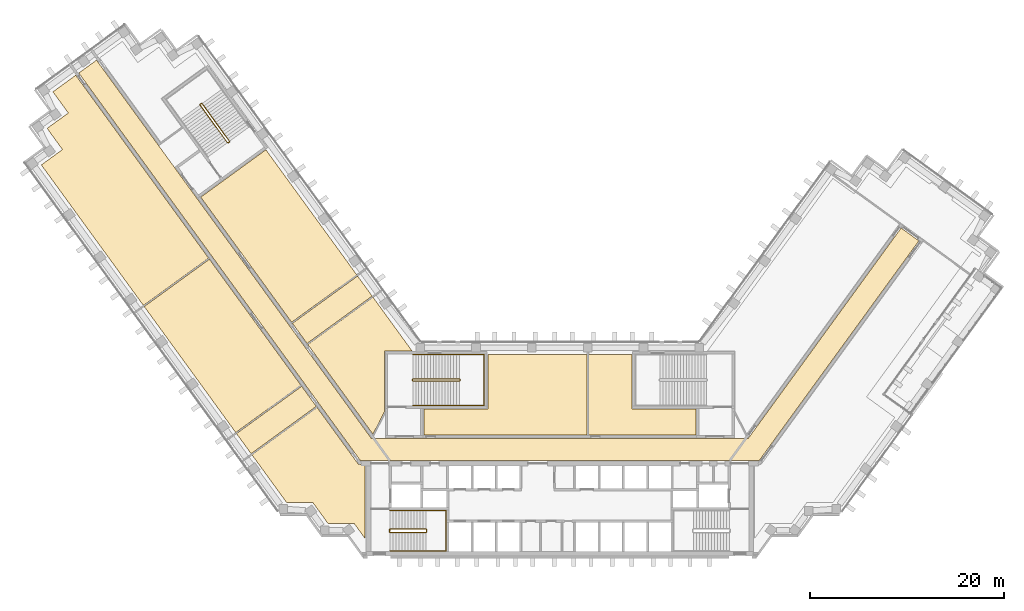
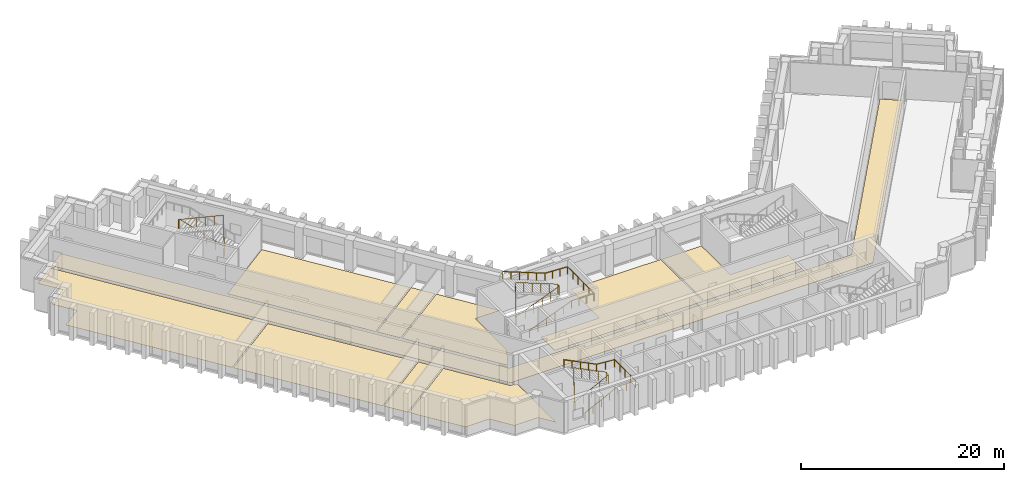
# One storey, part 12 of 14: 10 coverings, 5 railings.
"""IFC4 building model written with IfcOpenShell, lengths in metres."""

from ifc_helpers import new_model, si_unit, direction, frame, origin, origin_2d, place, context, subcontext, project, spatial, polyline, circle, outline, extrude, material, layer, layer_set, type_object, element, save


model = new_model("IFC4")

# Units and contexts
model_context = context("Model", 3, precision=1e-05, world=origin(), true_north=direction((0.0, 1.0)))
body_context = subcontext(model_context, "Body", "Model", "MODEL_VIEW")
ifc_project = project(units=[si_unit("LENGTHUNIT", "METRE"), si_unit("AREAUNIT", "SQUARE_METRE"), si_unit("VOLUMEUNIT", "CUBIC_METRE"), si_unit("PLANEANGLEUNIT", "RADIAN"), si_unit("MASSUNIT", "GRAM", prefix="KILO")], contexts=[model_context])

# Site, building, storey
site_placement = place(None, origin())
site = spatial("IfcSite", under=ifc_project, at=site_placement, CompositionType="ELEMENT")
building_placement = place(site_placement, origin())
building = spatial("IfcBuilding", under=site, at=building_placement, Name="Quipu Civic Tower", CompositionType="ELEMENT")
storey_placement = place(building_placement, frame((0.0, 0.0, 93.0)))
storey = spatial("IfcBuildingStorey", under=building, at=storey_placement, Name="L21", CompositionType="ELEMENT", Elevation=93.0)

# Coverings
ifc_material_1 = material(Name="Carpet tile on raised access floor")
ifc_layer_1 = layer(ifc_material_1, 0.02001953125)
ifc_layer_set_1 = layer_set([ifc_layer_1], Name="Carpet tile on raised access floor")
covering_type_1 = type_object("IfcCoveringType", Name="Carpet tile floor finish 20", PredefinedType="FLOORING", material=ifc_layer_set_1)
covering_1_placement = place(storey_placement, origin())
element("IfcCovering", 1, at=covering_1_placement, inside=storey, type_object=covering_type_1, Name="Carpet tile floor finish 20", PredefinedType="FLOORING", context=body_context, shape_type="SweptSolid", body=[
    extrude(outline(polyline([(2.948974609375, 1.52001953125), (2.948974609375, 9.830078125), (7.429931640625, 9.830078125), (7.430908203125, 4.179931640625), (14.030029296875, 4.179931640625), (14.030029296875, 1.52001953125), (2.948974609375, 1.52001953125)])), origin(), (0.0, 0.0, 1.0), 0.02001953125),
])
covering_2_placement = place(storey_placement, origin())
element("IfcCovering", 2, at=covering_2_placement, inside=storey, type_object=covering_type_1, Name="Carpet tile floor finish 20", PredefinedType="FLOORING", context=body_context, shape_type="SweptSolid", body=[
    extrude(outline(polyline([(-25.990966796875, 10.8330078125), (-19.26806640625, 15.716064453125), (-15.238037109375, 10.169921875), (-18.070068359375, 10.1689453125), (-18.070068359375, 3.94189453125), (-19.27197265625, 1.583984375), (-25.990966796875, 10.8330078125)])), origin(), (0.0, 0.0, 1.0), 0.02001953125),
])
covering_3_placement = place(storey_placement, origin())
element("IfcCovering", 3, at=covering_3_placement, inside=storey, type_object=covering_type_1, Name="Carpet tile floor finish 20", PredefinedType="FLOORING", context=body_context, shape_type="SweptSolid", body=[
    extrude(outline(polyline([(-31.758056640625, -0.5390625), (-25.034912109375, 4.344970703125), (-20.77490234375, -1.51904296875), (-20.070068359375, -1.52001953125), (-20.070068359375, -9.195068359375), (-21.196044921875, -7.64599609375), (-21.6630859375, -7.64599609375), (-21.666015625, -7.64404296875), (-21.669921875, -7.64111328125), (-21.675048828125, -7.639892578125), (-21.679931640625, -7.637939453125), (-21.68408203125, -7.636962890625), (-21.68896484375, -7.636962890625), (-21.694091796875, -7.635986328125), (-21.698974609375, -7.636962890625), (-21.7041015625, -7.637939453125), (-21.708984375, -7.638916015625), (-21.712890625, -7.64111328125), (-21.718017578125, -7.64306640625), (-21.721923828125, -7.64599609375), (-21.721923828125, -7.64599609375), (-23.89501953125, -7.64599609375), (-25.48193359375, -5.4619140625), (-28.181884765625, -5.4609375), (-31.758056640625, -0.5390625)])), origin(), (0.0, 0.0, 1.0), 0.02001953125),
])
covering_4_placement = place(storey_placement, origin())
element("IfcCovering", 4, at=covering_4_placement, inside=storey, type_object=covering_type_1, Name="Carpet tile floor finish 20", PredefinedType="FLOORING", context=body_context, shape_type="SweptSolid", body=[
    extrude(outline(polyline([(-53.47998046875, 29.35791015625), (-51.297119140625, 30.945068359375), (-52.883056640625, 33.12890625), (-50.698974609375, 34.717041015625), (-52.284912109375, 36.90087890625), (-49.930908203125, 38.611083984375), (-36.22705078125, 19.748046875), (-42.950927734375, 14.864990234375), (-53.47998046875, 29.35791015625)])), origin(), (0.0, 0.0, 1.0), 0.02001953125),
])
covering_5_placement = place(storey_placement, origin())
element("IfcCovering", 5, at=covering_5_placement, inside=storey, type_object=covering_type_1, Name="Carpet tile floor finish 20", PredefinedType="FLOORING", context=body_context, shape_type="SweptSolid", body=[
    extrude(outline(polyline([(-14.030029296875, 1.52001953125), (-14.030029296875, 4.179931640625), (-7.429931640625, 4.180908203125), (-7.429931640625, 9.830078125), (2.80908203125, 9.830078125), (2.80908203125, 1.52001953125), (-14.030029296875, 1.52001953125)])), origin(), (0.0, 0.0, 1.0), 0.02001953125),
])
covering_6_placement = place(storey_placement, origin())
element("IfcCovering", 6, at=covering_6_placement, inside=storey, type_object=covering_type_1, Name="Carpet tile floor finish 20", PredefinedType="FLOORING", context=body_context, shape_type="SweptSolid", body=[
    extrude(outline(polyline([(-37.0380859375, 26.0380859375), (-30.31494140625, 30.922119140625), (-20.93798828125, 18.013916015625), (-27.660888671875, 13.1298828125), (-37.0380859375, 26.0380859375)])), origin(), (0.0, 0.0, 1.0), 0.02001953125),
])
covering_7_placement = place(storey_placement, origin())
element("IfcCovering", 7, at=covering_7_placement, inside=storey, type_object=covering_type_1, Name="Carpet tile floor finish 20", PredefinedType="FLOORING", context=body_context, shape_type="SweptSolid", body=[
    extrude(outline(polyline([(-42.867919921875, 14.751953125), (-36.14404296875, 19.635009765625), (-26.705078125, 6.64208984375), (-33.427978515625, 1.758056640625), (-42.867919921875, 14.751953125)])), origin(), (0.0, 0.0, 1.0), 0.02001953125),
])
ifc_material_2 = material(Name="Ceramic floor tile")
ifc_layer_2 = layer(ifc_material_2, 0.030029296875)
ifc_layer_set_2 = layer_set([ifc_layer_2], Name="Ceramic floor tile")
covering_type_2 = type_object("IfcCoveringType", Name="Ceramic tile floor finish 30", PredefinedType="FLOORING", material=ifc_layer_set_2)
covering_8_placement = place(storey_placement, origin())
element("IfcCovering", 8, at=covering_8_placement, inside=storey, type_object=covering_type_2, Name="Ceramic tile floor finish 30", PredefinedType="FLOORING", context=body_context, shape_type="SweptSolid", body=[
    extrude(outline(polyline([(-27.577880859375, 13.01708984375), (-20.85498046875, 17.90087890625), (-19.35107421875, 15.8291015625), (-26.073974609375, 10.946044921875), (-27.577880859375, 13.01708984375)])), origin(), (0.0, 0.0, 1.0), 0.030029296875),
])
covering_9_placement = place(storey_placement, origin())
element("IfcCovering", 9, at=covering_9_placement, inside=storey, type_object=covering_type_2, Name="Ceramic tile floor finish 30", PredefinedType="FLOORING", context=body_context, shape_type="SweptSolid", body=[
    extrude(outline(polyline([(-33.344970703125, 1.64501953125), (-26.6220703125, 6.529052734375), (-25.117919921875, 4.4580078125), (-31.841064453125, -0.426025390625), (-33.344970703125, 1.64501953125)])), origin(), (0.0, 0.0, 1.0), 0.030029296875),
])

# Railings
ifc_material_3 = material(Name="Stainless steel", Category="steel")
railing_type_1 = type_object("IfcRailingType", Name="Stair guard 1100", PredefinedType="GUARDRAIL", material=ifc_material_3)
railing_1_placement = place(storey_placement, frame((-17.5, -8.550048828125, 0.15380859375)))
element("IfcRailing", 10, at=railing_1_placement, inside=storey, type_object=railing_type_1, Name="Stair 1 guard", PredefinedType="GUARDRAIL", context=body_context, shape_type="SweptSolid", body=[
    extrude(circle(Radius=0.02392578125, at=origin_2d()), frame((0.0, 0.0, 1.076171875), z_axis=(0.895751851347, 0.0, 0.444554407028), x_axis=(0.0, 1.0, 0.0)), (0.0, 0.0, 1.0), 4.15283203125),
    extrude(circle(Radius=0.02392578125, at=origin_2d()), frame((3.719970703125, 0.0, 2.92236328125), z_axis=(0.707106781187, 0.707106781187, 0.0), x_axis=(-0.707106781187, 0.707106781187, 0.0)), (0.0, 0.0, 1.0), 0.07080078125),
    extrude(circle(Radius=0.02392578125, at=origin_2d()), frame((3.77001953125, 0.050048828125, 2.92236328125), z_axis=(0.0, 1.0, 0.0), x_axis=(-1.0, 0.0, 0.0)), (0.0, 0.0, 1.0), 0.25),
    extrude(circle(Radius=0.02392578125, at=origin_2d()), frame((3.77001953125, 0.300048828125, 2.92236328125), z_axis=(-0.295599637079, 0.295599637079, 0.908428152975), x_axis=(-0.707106781187, -0.707106781187, 0.0)), (0.0, 0.0, 1.0), 0.16943359375),
    extrude(circle(Radius=0.02392578125, at=origin_2d()), frame((3.719970703125, 0.35009765625, 3.076171875), z_axis=(-0.895751851347, 0.0, 0.444554407028), x_axis=(0.0, -1.0, 0.0)), (0.0, 0.0, 1.0), 4.15283203125),
    extrude(circle(Radius=0.02392578125, at=origin_2d()), frame((0.0, 0.35009765625, 4.92236328125), z_axis=(-0.012476181752, -0.074796231092, -0.997120789425), x_axis=(0.986372223864, -0.164529134168, 0.0)), (0.0, 0.0, 1.0), 4.011474609375),
    extrude(circle(Radius=0.02392578125, at=origin_2d()), frame((-0.050048828125, 0.050048828125, 0.92236328125), z_axis=(0.0, 1.0, 0.0), x_axis=(-1.0, 0.0, 0.0)), (0.0, 0.0, 1.0), 0.25),
    extrude(circle(Radius=0.02099609375, at=origin_2d()), origin(), (0.0, 0.0, 1.0), 1.052001953125),
    extrude(circle(Radius=0.02099609375, at=origin_2d()), frame((0.929931640625, 0.0, 0.46142578125)), (0.0, 0.0, 1.0), 1.052001953125),
    extrude(circle(Radius=0.02099609375, at=origin_2d()), frame((1.85986328125, 0.0, 0.923095703125)), (0.0, 0.0, 1.0), 1.052001953125),
    extrude(circle(Radius=0.02099609375, at=origin_2d()), frame((2.7900390625, 0.0, 1.384765625)), (0.0, 0.0, 1.0), 1.052001953125),
    extrude(circle(Radius=0.02099609375, at=origin_2d()), frame((3.719970703125, 0.0, 1.84619140625)), (0.0, 0.0, 1.0), 1.052001953125),
    extrude(circle(Radius=0.02099609375, at=origin_2d()), frame((3.77001953125, 0.050048828125, 1.84619140625)), (0.0, 0.0, 1.0), 1.052001953125),
    extrude(circle(Radius=0.02099609375, at=origin_2d()), frame((3.77001953125, 0.300048828125, 1.84619140625)), (0.0, 0.0, 1.0), 1.052001953125),
    extrude(circle(Radius=0.02099609375, at=origin_2d()), frame((3.719970703125, 0.35009765625, 2.0)), (0.0, 0.0, 1.0), 1.052001953125),
    extrude(circle(Radius=0.02099609375, at=origin_2d()), frame((2.7900390625, 0.35009765625, 2.46142578125)), (0.0, 0.0, 1.0), 1.052001953125),
    extrude(circle(Radius=0.02099609375, at=origin_2d()), frame((1.85986328125, 0.35009765625, 2.923095703125)), (0.0, 0.0, 1.0), 1.052001953125),
    extrude(circle(Radius=0.02099609375, at=origin_2d()), frame((0.929931640625, 0.35009765625, 3.384765625)), (0.0, 0.0, 1.0), 1.052001953125),
    extrude(circle(Radius=0.02099609375, at=origin_2d()), frame((0.0, 0.35009765625, 3.84619140625)), (0.0, 0.0, 1.0), 1.052001953125),
    extrude(circle(Radius=0.02099609375, at=origin_2d()), frame((-0.012451171875, 0.275146484375, 2.84619140625)), (0.0, 0.0, 1.0), 1.052001953125),
    extrude(circle(Radius=0.02099609375, at=origin_2d()), frame((-0.02490234375, 0.2001953125, 1.84619140625)), (0.0, 0.0, 1.0), 1.052001953125),
    extrude(circle(Radius=0.02099609375, at=origin_2d()), frame((-0.03759765625, 0.125, 0.84619140625)), (0.0, 0.0, 1.0), 1.052001953125),
    extrude(circle(Radius=0.02099609375, at=origin_2d()), frame((-0.050048828125, 0.050048828125, -0.15380859375)), (0.0, 0.0, 1.0), 1.052001953125),
    extrude(circle(Radius=0.02099609375, at=origin_2d()), frame((-0.050048828125, 0.300048828125, -0.15380859375)), (0.0, 0.0, 1.0), 1.052001953125),
])
railing_2_placement = place(storey_placement, frame((-15.14990234375, 7.050048828125, 0.11767578125)))
element("IfcRailing", 11, at=railing_2_placement, inside=storey, type_object=railing_type_1, Name="Stair 3 guard", PredefinedType="GUARDRAIL", context=body_context, shape_type="SweptSolid", body=[
    extrude(circle(Radius=0.02392578125, at=origin_2d()), frame((0.0, 0.0, 1.076171875), z_axis=(0.930970042603, 0.0, 0.365095576219), x_axis=(0.0, 1.0, 0.0)), (0.0, 0.0, 1.0), 5.15576171875),
    extrude(circle(Radius=0.02392578125, at=origin_2d()), frame((4.7998046875, 0.0, 2.95849609375), z_axis=(0.707106781187, 0.707106781187, 0.0), x_axis=(-0.707106781187, 0.707106781187, 0.0)), (0.0, 0.0, 1.0), 0.07080078125),
    extrude(circle(Radius=0.02392578125, at=origin_2d()), frame((4.849853515625, 0.050048828125, 2.95849609375), z_axis=(0.0, 1.0, 0.0), x_axis=(-1.0, 0.0, 0.0)), (0.0, 0.0, 1.0), 0.14990234375),
    extrude(circle(Radius=0.02392578125, at=origin_2d()), frame((4.849853515625, 0.199951171875, 2.95849609375), z_axis=(-0.364463019033, 0.364463019033, 0.856932561824), x_axis=(-0.707106781187, -0.707106781187, 0.0)), (0.0, 0.0, 1.0), 0.13720703125),
    extrude(circle(Radius=0.02392578125, at=origin_2d()), frame((4.7998046875, 0.25, 3.076171875), z_axis=(-0.930970042603, 0.0, 0.365095576219), x_axis=(0.0, -1.0, 0.0)), (0.0, 0.0, 1.0), 5.15576171875),
    extrude(circle(Radius=0.02392578125, at=origin_2d()), frame((0.0, 0.25, 4.95849609375), z_axis=(-0.012495627992, -0.049921557685, -0.998674970829), x_axis=(0.970072785993, -0.242814311512, 0.0)), (0.0, 0.0, 1.0), 4.00537109375),
    extrude(circle(Radius=0.02392578125, at=origin_2d()), frame((-0.050048828125, 0.050048828125, 0.95849609375), z_axis=(0.0, 1.0, 0.0), x_axis=(-1.0, 0.0, 0.0)), (0.0, 0.0, 1.0), 0.14990234375),
    extrude(circle(Radius=0.02099609375, at=origin_2d()), origin(), (0.0, 0.0, 1.0), 1.052001953125),
    extrude(circle(Radius=0.02099609375, at=origin_2d()), frame((0.9599609375, 0.0, 0.37646484375)), (0.0, 0.0, 1.0), 1.052001953125),
    extrude(circle(Radius=0.02099609375, at=origin_2d()), frame((1.919921875, 0.0, 0.7529296875)), (0.0, 0.0, 1.0), 1.052001953125),
    extrude(circle(Radius=0.02099609375, at=origin_2d()), frame((2.8798828125, 0.0, 1.12939453125)), (0.0, 0.0, 1.0), 1.052001953125),
    extrude(circle(Radius=0.02099609375, at=origin_2d()), frame((3.83984375, 0.0, 1.505859375)), (0.0, 0.0, 1.0), 1.052001953125),
    extrude(circle(Radius=0.02099609375, at=origin_2d()), frame((4.7998046875, 0.0, 1.88232421875)), (0.0, 0.0, 1.0), 1.052001953125),
    extrude(circle(Radius=0.02099609375, at=origin_2d()), frame((4.849853515625, 0.050048828125, 1.88232421875)), (0.0, 0.0, 1.0), 1.052001953125),
    extrude(circle(Radius=0.02099609375, at=origin_2d()), frame((4.849853515625, 0.199951171875, 1.88232421875)), (0.0, 0.0, 1.0), 1.052001953125),
    extrude(circle(Radius=0.02099609375, at=origin_2d()), frame((4.7998046875, 0.25, 2.0)), (0.0, 0.0, 1.0), 1.052001953125),
    extrude(circle(Radius=0.02099609375, at=origin_2d()), frame((3.83984375, 0.25, 2.37646484375)), (0.0, 0.0, 1.0), 1.052001953125),
    extrude(circle(Radius=0.02099609375, at=origin_2d()), frame((2.8798828125, 0.25, 2.7529296875)), (0.0, 0.0, 1.0), 1.052001953125),
    extrude(circle(Radius=0.02099609375, at=origin_2d()), frame((1.919921875, 0.25, 3.12939453125)), (0.0, 0.0, 1.0), 1.052001953125),
    extrude(circle(Radius=0.02099609375, at=origin_2d()), frame((0.9599609375, 0.25, 3.505859375)), (0.0, 0.0, 1.0), 1.052001953125),
    extrude(circle(Radius=0.02099609375, at=origin_2d()), frame((0.0, 0.25, 3.88232421875)), (0.0, 0.0, 1.0), 1.052001953125),
    extrude(circle(Radius=0.02099609375, at=origin_2d()), frame((-0.012451171875, 0.199951171875, 2.88232421875)), (0.0, 0.0, 1.0), 1.052001953125),
    extrude(circle(Radius=0.02099609375, at=origin_2d()), frame((-0.02490234375, 0.14990234375, 1.88232421875)), (0.0, 0.0, 1.0), 1.052001953125),
    extrude(circle(Radius=0.02099609375, at=origin_2d()), frame((-0.03759765625, 0.10009765625, 0.88232421875)), (0.0, 0.0, 1.0), 1.052001953125),
    extrude(circle(Radius=0.02099609375, at=origin_2d()), frame((-0.050048828125, 0.050048828125, -0.11767578125)), (0.0, 0.0, 1.0), 1.052001953125),
    extrude(circle(Radius=0.02099609375, at=origin_2d()), frame((-0.050048828125, 0.199951171875, -0.11767578125)), (0.0, 0.0, 1.0), 1.052001953125),
])
railing_3_placement = place(storey_placement, frame((-34.078857421875, 31.79736328125, 0.11767578125)))
element("IfcRailing", 12, at=railing_3_placement, inside=storey, type_object=railing_type_1, Name="Stair 6 guard", PredefinedType="GUARDRAIL", context=body_context, shape_type="SweptSolid", body=[
    extrude(circle(Radius=0.02392578125, at=origin_2d()), frame((0.0, 0.0, 1.076171875), z_axis=(-0.54720100349, 0.753182689643, 0.365084781664), x_axis=(-0.809026317077, -0.587772420479, 0.0)), (0.0, 0.0, 1.0), 5.15576171875),
    extrude(circle(Radius=0.02392578125, at=origin_2d()), frame((-2.8212890625, 3.88330078125, 2.95849609375), z_axis=(-0.987846838465, 0.155430446612, 0.0), x_axis=(-0.155430446612, -0.987846838465, 0.0)), (0.0, 0.0, 1.0), 0.07080078125),
    extrude(circle(Radius=0.02392578125, at=origin_2d()), frame((-2.89111328125, 3.894287109375, 2.95849609375), z_axis=(-0.809649071907, -0.586914287065, 0.0), x_axis=(0.586914287065, -0.809649071907, 0.0)), (0.0, 0.0, 1.0), 0.150146484375),
    extrude(circle(Radius=0.02392578125, at=origin_2d()), frame((-3.0126953125, 3.80615234375, 2.95849609375), z_axis=(-0.080033047627, -0.508654480474, 0.857242865693), x_axis=(0.987846838465, -0.155430446612, 0.0)), (0.0, 0.0, 1.0), 0.13720703125),
    extrude(circle(Radius=0.02392578125, at=origin_2d()), frame((-3.023681640625, 3.736328125, 3.076171875), z_axis=(0.54720100349, -0.753182689643, 0.365084781664), x_axis=(0.809026317077, 0.587772420479, 0.0)), (0.0, 0.0, 1.0), 5.15576171875),
    extrude(circle(Radius=0.02392578125, at=origin_2d()), frame((-0.202392578125, -0.14697265625, 4.95849609375), z_axis=(0.047788004556, 0.019261491632, -0.998671768681), x_axis=(-0.373837031195, 0.92749440651, 0.0)), (0.0, 0.0, 1.0), 4.00537109375),
    extrude(circle(Radius=0.02392578125, at=origin_2d()), frame((-0.010986328125, -0.06982421875, 0.95849609375), z_axis=(-0.809087927272, -0.587687609145, 0.0), x_axis=(0.587687609145, -0.809087927272, 0.0)), (0.0, 0.0, 1.0), 0.14990234375),
    extrude(circle(Radius=0.02099609375, at=origin_2d()), origin(), (0.0, 0.0, 1.0), 1.052001953125),
    extrude(circle(Radius=0.02099609375, at=origin_2d()), frame((-0.564208984375, 0.776611328125, 0.37646484375)), (0.0, 0.0, 1.0), 1.052001953125),
    extrude(circle(Radius=0.02099609375, at=origin_2d()), frame((-1.12841796875, 1.55322265625, 0.7529296875)), (0.0, 0.0, 1.0), 1.052001953125),
    extrude(circle(Radius=0.02099609375, at=origin_2d()), frame((-1.69287109375, 2.330078125, 1.12939453125)), (0.0, 0.0, 1.0), 1.052001953125),
    extrude(circle(Radius=0.02099609375, at=origin_2d()), frame((-2.257080078125, 3.106689453125, 1.505859375)), (0.0, 0.0, 1.0), 1.052001953125),
    extrude(circle(Radius=0.02099609375, at=origin_2d()), frame((-2.8212890625, 3.88330078125, 1.88232421875)), (0.0, 0.0, 1.0), 1.052001953125),
    extrude(circle(Radius=0.02099609375, at=origin_2d()), frame((-2.89111328125, 3.894287109375, 1.88232421875)), (0.0, 0.0, 1.0), 1.052001953125),
    extrude(circle(Radius=0.02099609375, at=origin_2d()), frame((-3.0126953125, 3.80615234375, 1.88232421875)), (0.0, 0.0, 1.0), 1.052001953125),
    extrude(circle(Radius=0.02099609375, at=origin_2d()), frame((-3.023681640625, 3.736328125, 2.0)), (0.0, 0.0, 1.0), 1.052001953125),
    extrude(circle(Radius=0.02099609375, at=origin_2d()), frame((-2.45947265625, 2.959716796875, 2.37646484375)), (0.0, 0.0, 1.0), 1.052001953125),
    extrude(circle(Radius=0.02099609375, at=origin_2d()), frame((-1.895263671875, 2.18310546875, 2.7529296875)), (0.0, 0.0, 1.0), 1.052001953125),
    extrude(circle(Radius=0.02099609375, at=origin_2d()), frame((-1.330810546875, 1.40625, 3.12939453125)), (0.0, 0.0, 1.0), 1.052001953125),
    extrude(circle(Radius=0.02099609375, at=origin_2d()), frame((-0.7666015625, 0.629638671875, 3.505859375)), (0.0, 0.0, 1.0), 1.052001953125),
    extrude(circle(Radius=0.02099609375, at=origin_2d()), frame((-0.202392578125, -0.14697265625, 3.88232421875)), (0.0, 0.0, 1.0), 1.052001953125),
    extrude(circle(Radius=0.02099609375, at=origin_2d()), frame((-0.154541015625, -0.127685546875, 2.88232421875)), (0.0, 0.0, 1.0), 1.052001953125),
    extrude(circle(Radius=0.02099609375, at=origin_2d()), frame((-0.106689453125, -0.1083984375, 1.88232421875)), (0.0, 0.0, 1.0), 1.052001953125),
    extrude(circle(Radius=0.02099609375, at=origin_2d()), frame((-0.058837890625, -0.089111328125, 0.88232421875)), (0.0, 0.0, 1.0), 1.052001953125),
    extrude(circle(Radius=0.02099609375, at=origin_2d()), frame((-0.010986328125, -0.06982421875, -0.11767578125)), (0.0, 0.0, 1.0), 1.052001953125),
    extrude(circle(Radius=0.02099609375, at=origin_2d()), frame((-0.13232421875, -0.157958984375, -0.11767578125)), (0.0, 0.0, 1.0), 1.052001953125),
])
ifc_material_4 = material(Name="Stainless steel", Category="steel")
railing_type_2 = type_object("IfcRailingType", Name="Stair handrail", PredefinedType="HANDRAIL", material=ifc_material_4)
railing_4_placement = place(storey_placement, frame((-17.5, -10.449951171875, 0.15380859375)))
element("IfcRailing", 13, at=railing_4_placement, inside=storey, type_object=railing_type_2, Name="Stair 1 handrail", PredefinedType="HANDRAIL", context=body_context, shape_type="SweptSolid", body=[
    extrude(circle(Radius=0.02392578125, at=origin_2d()), frame((0.0, 0.0, 0.8759765625), z_axis=(0.895751851347, 0.0, 0.444554407028), x_axis=(0.0, 1.0, 0.0)), (0.0, 0.0, 1.0), 4.15283203125),
    extrude(circle(Radius=0.02392578125, at=origin_2d()), frame((3.719970703125, 0.0, 2.72216796875), z_axis=(1.0, 0.0, 0.0), x_axis=(0.0, 1.0, 0.0)), (0.0, 0.0, 1.0), 2.030029296875),
    extrude(circle(Radius=0.02392578125, at=origin_2d()), frame((5.75, 0.0, 2.72216796875), z_axis=(0.0, 1.0, 0.0), x_axis=(-1.0, 0.0, 0.0)), (0.0, 0.0, 1.0), 4.14990234375),
    extrude(circle(Radius=0.02392578125, at=origin_2d()), frame((5.75, 4.14990234375, 2.72216796875), z_axis=(-0.997142003663, 0.0, 0.075550145798), x_axis=(0.0, -1.0, 0.0)), (0.0, 0.0, 1.0), 2.035888671875),
    extrude(circle(Radius=0.02392578125, at=origin_2d()), frame((3.719970703125, 4.14990234375, 2.8759765625), z_axis=(-0.895751851347, 0.0, 0.444554407028), x_axis=(0.0, -1.0, 0.0)), (0.0, 0.0, 1.0), 4.15283203125),
    extrude(circle(Radius=0.02099609375, at=origin_2d()), origin(), (0.0, 0.0, 1.0), 0.851806640625),
    extrude(circle(Radius=0.02099609375, at=origin_2d()), frame((0.929931640625, 0.0, 0.46142578125)), (0.0, 0.0, 1.0), 0.851806640625),
    extrude(circle(Radius=0.02099609375, at=origin_2d()), frame((1.85986328125, 0.0, 0.923095703125)), (0.0, 0.0, 1.0), 0.851806640625),
    extrude(circle(Radius=0.02099609375, at=origin_2d()), frame((2.7900390625, 0.0, 1.384765625)), (0.0, 0.0, 1.0), 0.851806640625),
    extrude(circle(Radius=0.02099609375, at=origin_2d()), frame((3.719970703125, 0.0, 1.84619140625)), (0.0, 0.0, 1.0), 0.851806640625),
    extrude(circle(Radius=0.02099609375, at=origin_2d()), frame((4.73486328125, 0.0, 1.84619140625)), (0.0, 0.0, 1.0), 0.851806640625),
    extrude(circle(Radius=0.02099609375, at=origin_2d()), frame((5.75, 0.0, 1.84619140625)), (0.0, 0.0, 1.0), 0.851806640625),
    extrude(circle(Radius=0.02099609375, at=origin_2d()), frame((5.75, 1.03759765625, 1.84619140625)), (0.0, 0.0, 1.0), 0.851806640625),
    extrude(circle(Radius=0.02099609375, at=origin_2d()), frame((5.75, 2.074951171875, 1.84619140625)), (0.0, 0.0, 1.0), 0.851806640625),
    extrude(circle(Radius=0.02099609375, at=origin_2d()), frame((5.75, 3.1123046875, 1.84619140625)), (0.0, 0.0, 1.0), 0.851806640625),
    extrude(circle(Radius=0.02099609375, at=origin_2d()), frame((5.75, 4.14990234375, 1.84619140625)), (0.0, 0.0, 1.0), 0.851806640625),
    extrude(circle(Radius=0.02099609375, at=origin_2d()), frame((4.73486328125, 4.14990234375, 1.923095703125)), (0.0, 0.0, 1.0), 0.851806640625),
    extrude(circle(Radius=0.02099609375, at=origin_2d()), frame((3.719970703125, 4.14990234375, 2.0)), (0.0, 0.0, 1.0), 0.851806640625),
    extrude(circle(Radius=0.02099609375, at=origin_2d()), frame((2.7900390625, 4.14990234375, 2.46142578125)), (0.0, 0.0, 1.0), 0.851806640625),
    extrude(circle(Radius=0.02099609375, at=origin_2d()), frame((1.85986328125, 4.14990234375, 2.923095703125)), (0.0, 0.0, 1.0), 0.851806640625),
    extrude(circle(Radius=0.02099609375, at=origin_2d()), frame((0.929931640625, 4.14990234375, 3.384765625)), (0.0, 0.0, 1.0), 0.851806640625),
    extrude(circle(Radius=0.02099609375, at=origin_2d()), frame((0.0, 4.14990234375, 3.84619140625)), (0.0, 0.0, 1.0), 0.851806640625),
])
railing_5_placement = place(storey_placement, frame((-15.14990234375, 4.550048828125, 0.11767578125)))
element("IfcRailing", 14, at=railing_5_placement, inside=storey, type_object=railing_type_2, Name="Stair 3 handrail", PredefinedType="HANDRAIL", context=body_context, shape_type="SweptSolid", body=[
    extrude(circle(Radius=0.02392578125, at=origin_2d()), frame((0.0, 0.0, 0.8759765625), z_axis=(0.930970042603, 0.0, 0.365095576219), x_axis=(0.0, 1.0, 0.0)), (0.0, 0.0, 1.0), 5.15576171875),
    extrude(circle(Radius=0.02392578125, at=origin_2d()), frame((4.7998046875, 0.0, 2.75830078125), z_axis=(1.0, 0.0, 0.0), x_axis=(0.0, 1.0, 0.0)), (0.0, 0.0, 1.0), 2.550048828125),
    extrude(circle(Radius=0.02392578125, at=origin_2d()), frame((7.349853515625, 0.0, 2.75830078125), z_axis=(0.0, 1.0, 0.0), x_axis=(-1.0, 0.0, 0.0)), (0.0, 0.0, 1.0), 5.25),
    extrude(circle(Radius=0.02392578125, at=origin_2d()), frame((7.349853515625, 5.25, 2.75830078125), z_axis=(-0.998936948642, 0.0, 0.04609742549), x_axis=(0.0, -1.0, 0.0)), (0.0, 0.0, 1.0), 2.552734375),
    extrude(circle(Radius=0.02392578125, at=origin_2d()), frame((4.7998046875, 5.25, 2.8759765625), z_axis=(-0.930970042603, 0.0, 0.365095576219), x_axis=(0.0, -1.0, 0.0)), (0.0, 0.0, 1.0), 5.15576171875),
    extrude(circle(Radius=0.02099609375, at=origin_2d()), origin(), (0.0, 0.0, 1.0), 0.851806640625),
    extrude(circle(Radius=0.02099609375, at=origin_2d()), frame((0.9599609375, 0.0, 0.37646484375)), (0.0, 0.0, 1.0), 0.851806640625),
    extrude(circle(Radius=0.02099609375, at=origin_2d()), frame((1.919921875, 0.0, 0.7529296875)), (0.0, 0.0, 1.0), 0.851806640625),
    extrude(circle(Radius=0.02099609375, at=origin_2d()), frame((2.8798828125, 0.0, 1.12939453125)), (0.0, 0.0, 1.0), 0.851806640625),
    extrude(circle(Radius=0.02099609375, at=origin_2d()), frame((3.83984375, 0.0, 1.505859375)), (0.0, 0.0, 1.0), 0.851806640625),
    extrude(circle(Radius=0.02099609375, at=origin_2d()), frame((4.7998046875, 0.0, 1.88232421875)), (0.0, 0.0, 1.0), 0.851806640625),
    extrude(circle(Radius=0.02099609375, at=origin_2d()), frame((5.64990234375, 0.0, 1.88232421875)), (0.0, 0.0, 1.0), 0.851806640625),
    extrude(circle(Radius=0.02099609375, at=origin_2d()), frame((6.499755859375, 0.0, 1.88232421875)), (0.0, 0.0, 1.0), 0.851806640625),
    extrude(circle(Radius=0.02099609375, at=origin_2d()), frame((7.349853515625, 0.0, 1.88232421875)), (0.0, 0.0, 1.0), 0.851806640625),
    extrude(circle(Radius=0.02099609375, at=origin_2d()), frame((7.349853515625, 1.050048828125, 1.88232421875)), (0.0, 0.0, 1.0), 0.851806640625),
    extrude(circle(Radius=0.02099609375, at=origin_2d()), frame((7.349853515625, 2.10009765625, 1.88232421875)), (0.0, 0.0, 1.0), 0.851806640625),
    extrude(circle(Radius=0.02099609375, at=origin_2d()), frame((7.349853515625, 3.14990234375, 1.88232421875)), (0.0, 0.0, 1.0), 0.851806640625),
    extrude(circle(Radius=0.02099609375, at=origin_2d()), frame((7.349853515625, 4.199951171875, 1.88232421875)), (0.0, 0.0, 1.0), 0.851806640625),
    extrude(circle(Radius=0.02099609375, at=origin_2d()), frame((7.349853515625, 5.25, 1.88232421875)), (0.0, 0.0, 1.0), 0.851806640625),
    extrude(circle(Radius=0.02099609375, at=origin_2d()), frame((6.499755859375, 5.25, 1.921630859375)), (0.0, 0.0, 1.0), 0.851806640625),
    extrude(circle(Radius=0.02099609375, at=origin_2d()), frame((5.64990234375, 5.25, 1.960693359375)), (0.0, 0.0, 1.0), 0.851806640625),
    extrude(circle(Radius=0.02099609375, at=origin_2d()), frame((4.7998046875, 5.25, 2.0)), (0.0, 0.0, 1.0), 0.851806640625),
    extrude(circle(Radius=0.02099609375, at=origin_2d()), frame((3.83984375, 5.25, 2.37646484375)), (0.0, 0.0, 1.0), 0.851806640625),
    extrude(circle(Radius=0.02099609375, at=origin_2d()), frame((2.8798828125, 5.25, 2.7529296875)), (0.0, 0.0, 1.0), 0.851806640625),
    extrude(circle(Radius=0.02099609375, at=origin_2d()), frame((1.919921875, 5.25, 3.12939453125)), (0.0, 0.0, 1.0), 0.851806640625),
    extrude(circle(Radius=0.02099609375, at=origin_2d()), frame((0.9599609375, 5.25, 3.505859375)), (0.0, 0.0, 1.0), 0.851806640625),
    extrude(circle(Radius=0.02099609375, at=origin_2d()), frame((0.0, 5.25, 3.88232421875)), (0.0, 0.0, 1.0), 0.851806640625),
])

# Covering
ifc_material_5 = material(Name="Terrazzo floor finish")
ifc_layer_3 = layer(ifc_material_5, 0.0400390625)
ifc_layer_set_3 = layer_set([ifc_layer_3], Name="Terrazzo floor finish")
covering_type_3 = type_object("IfcCoveringType", Name="Terrazzo floor finish 40", PredefinedType="FLOORING", material=ifc_layer_set_3)
covering_10_placement = place(storey_placement, origin())
element("IfcCovering", 15, at=covering_10_placement, inside=storey, type_object=covering_type_3, Name="Terrazzo floor finish 40", PredefinedType="FLOORING", context=body_context, shape_type="SweptSolid", body=[
    extrude(outline(polyline([(20.574951171875, -1.1298828125), (-20.574951171875, -1.1298828125), (-49.615966796875, 38.840087890625), (-47.787109375, 40.16796875), (-19.425048828125, 1.1298828125), (19.425048828125, 1.1298828125), (35.208984375, 22.85498046875), (37.037109375, 21.527099609375), (20.574951171875, -1.1298828125)])), origin(), (0.0, 0.0, 1.0), 0.0400390625),
])

save(model, "model.ifc")
